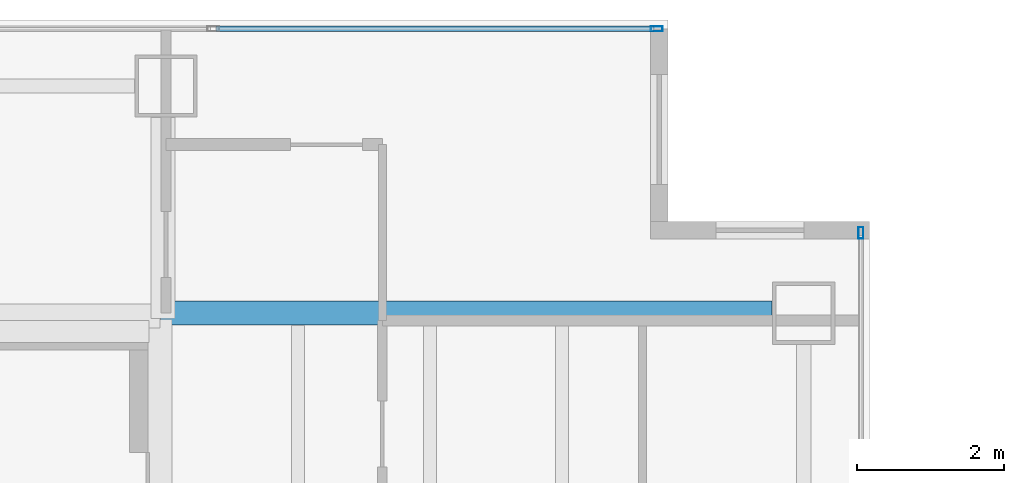
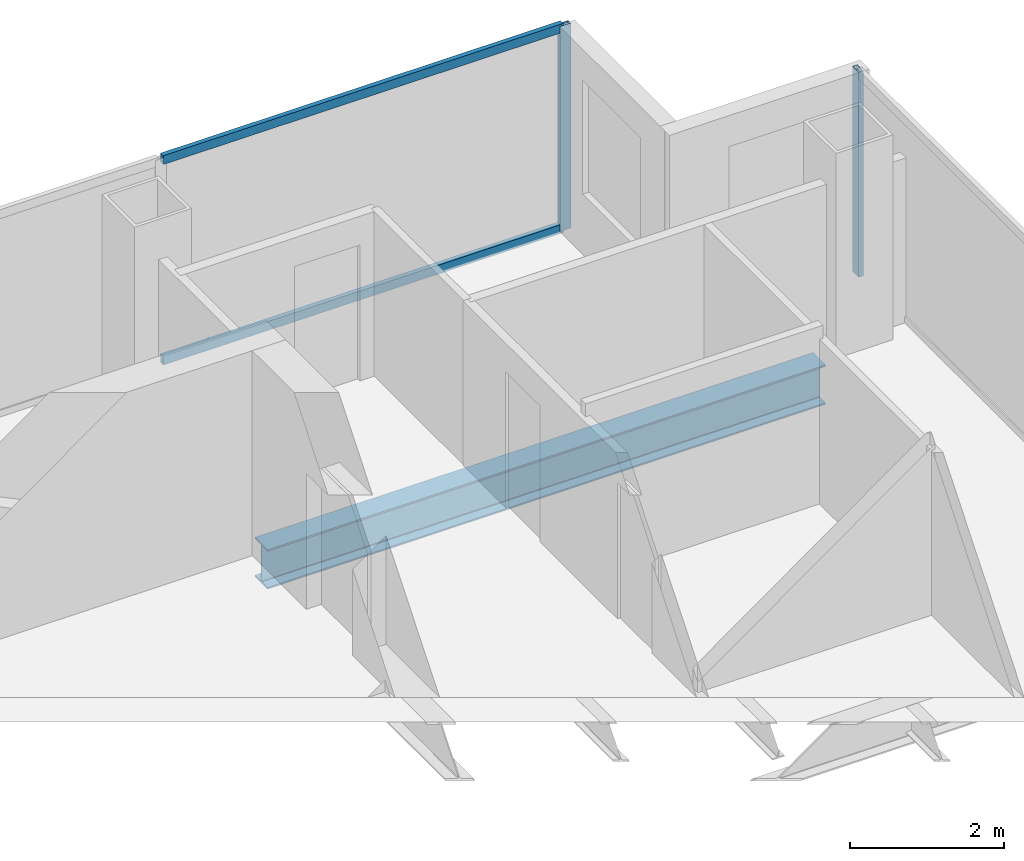
# One storey, part 18 of 23: 4 members, 1 beam, 2 elements without a shape of their own.
"""IFC4 building model written with IfcOpenShell, lengths in metres."""

from ifc_helpers import new_model, si_unit, direction, frame, origin, origin_2d, place, context, subcontext, project, spatial, hollow_rectangle, i_section, extrude, material, material_profile, profile_set, type_object, element, aggregate, save


model = new_model("IFC4")

# Units and contexts
model_context = context("Model", 3, precision=1e-05, world=origin(), true_north=direction((0.0, 1.0)))
body_context = subcontext(model_context, "Body", "Model", "MODEL_VIEW")
ifc_project = project(units=[si_unit("LENGTHUNIT", "METRE"), si_unit("AREAUNIT", "SQUARE_METRE"), si_unit("VOLUMEUNIT", "CUBIC_METRE"), si_unit("PLANEANGLEUNIT", "RADIAN"), si_unit("MASSUNIT", "GRAM", prefix="KILO")], contexts=[model_context])

# Site, building, storey
site_placement = place(None, origin())
site = spatial("IfcSite", under=ifc_project, at=site_placement, CompositionType="ELEMENT")
building_placement = place(site_placement, origin())
building = spatial("IfcBuilding", under=site, at=building_placement, Name="Cobrela Telecom Tower", CompositionType="ELEMENT")
storey_placement = place(building_placement, frame((0.0, 0.0, 176.75)))
storey = spatial("IfcBuildingStorey", under=building, at=storey_placement, Name="L44", CompositionType="ELEMENT", Elevation=176.75)

# Beam
ifc_material_1 = material(Name="Steel ASTM A992 Grade 50", Category="steel")
ifc_material_profile_1 = material_profile(ifc_material_1, i_section(OverallWidth=0.327880859375, OverallDepth=0.6220703125, WebThickness=0.015380859375, FlangeThickness=0.0244140625, FilletRadius=0.014892578125, at=origin_2d()), Name="W24X131")
ifc_profile_set_1 = profile_set([ifc_material_profile_1], Name="Steel ASTM A992 Grade 50")
beam_type = type_object("IfcBeamType", Name="BM-GIRD-06", PredefinedType="USERDEFINED", material=ifc_profile_set_1)
beam_placement = place(storey_placement, frame((14.324951171875, 36.0, -0.571044921875), z_axis=(1.0, 0.0, 0.0), x_axis=(0.0, 1.0, 0.0)))
element("IfcBeam", 1, at=beam_placement, inside=storey, type_object=beam_type, Name="L44 Primary Girder X22", ObjectType="GIRDER", PredefinedType="USERDEFINED", context=body_context, shape_type="SweptSolid", body=[
    extrude(i_section(OverallWidth=0.327880859375, OverallDepth=0.6220703125, WebThickness=0.015380859375, FlangeThickness=0.0244140625, FilletRadius=0.014892578125, at=origin_2d()), origin(), (0.0, 0.0, 1.0), 8.344970703125),
])

# Curtain wall, member
ifc_material_2 = material(Name="Anodized Bronze Aluminium 6063-T6", Category="aluminium")
curtain_wall_type = type_object("IfcCurtainWallType", Name="CW-SYS-OFF-LO", PredefinedType="USERDEFINED", material=ifc_material_2)
curtain_wall_1_placement = place(storey_placement, origin())
curtain_wall_1 = element("IfcCurtainWall", 2, at=curtain_wall_1_placement, inside=storey, type_object=curtain_wall_type, Name="L44 Unitised Bronze Curtain Wall 07", ObjectType="UNITISED CURTAIN WALL", PredefinedType="USERDEFINED")
ifc_material_profile_2 = material_profile(ifc_material_2, hollow_rectangle(XDim=0.070068359375, YDim=0.159912109375, WallThickness=0.00390625, at=origin_2d()), Name="ALU 70x160x4")
ifc_profile_set_2 = profile_set([ifc_material_profile_2], Name="Anodized Bronze Aluminium 6063-T6")
member_type_1 = type_object("IfcMemberType", Name="CW-SYS-OFF-LO-MUL", PredefinedType="MULLION", material=ifc_profile_set_2)
member_1_placement = place(storey_placement, frame((21.094970703125, 39.8798828125, 0.0), z_axis=(0.0, 0.0, 1.0), x_axis=(0.0, 1.0, 0.0)))
member_1 = element("IfcMember", 3, at=member_1_placement, type_object=member_type_1, Name="CW-OFF-LO mullion 4", PredefinedType="MULLION", context=body_context, shape_type="SweptSolid", body=[
    extrude(hollow_rectangle(XDim=0.070068359375, YDim=0.159912109375, WallThickness=0.00390625, at=origin_2d()), origin(), (0.0, 0.0, 1.0), 3.239990234375),
])

curtain_wall_2_placement = place(storey_placement, origin())
curtain_wall_2 = element("IfcCurtainWall", 4, at=curtain_wall_2_placement, inside=storey, type_object=curtain_wall_type, Name="L44 Unitised Bronze Curtain Wall 10", ObjectType="UNITISED CURTAIN WALL", PredefinedType="USERDEFINED")
member_2_placement = place(storey_placement, frame((23.8798828125, 37.094970703125, 0.0), z_axis=(0.0, 0.0, 1.0), x_axis=(1.0, 0.0, 0.0)))
member_2 = element("IfcMember", 5, at=member_2_placement, type_object=member_type_1, Name="CW-OFF-LO mullion 1", PredefinedType="MULLION", context=body_context, shape_type="SweptSolid", body=[
    extrude(hollow_rectangle(XDim=0.070068359375, YDim=0.159912109375, WallThickness=0.00390625, at=origin_2d()), origin(), (0.0, 0.0, 1.0), 3.239990234375),
])
aggregate(curtain_wall_2, [member_2])

# Member
ifc_material_profile_3 = material_profile(ifc_material_2, hollow_rectangle(XDim=0.070068359375, YDim=0.139892578125, WallThickness=0.00390625, at=origin_2d()), Name="ALU 70x140x4")
ifc_profile_set_3 = profile_set([ifc_material_profile_3], Name="Anodized Bronze Aluminium 6063-T6")
member_type_2 = type_object("IfcMemberType", Name="CW-SYS-OFF-LO-TRN", PredefinedType="USERDEFINED", material=ifc_profile_set_3)
member_3_placement = place(storey_placement, frame((15.078369140625, 39.8798828125, 0.034912109375), z_axis=(1.0, 0.0, 0.0), x_axis=(0.0, 1.0, 0.0)))
member_3 = element("IfcMember", 6, at=member_3_placement, type_object=member_type_2, Name="CW-OFF-LO transom 3.1", ObjectType="TRANSOM", PredefinedType="USERDEFINED", context=body_context, shape_type="SweptSolid", body=[
    extrude(hollow_rectangle(XDim=0.070068359375, YDim=0.139892578125, WallThickness=0.00390625, at=origin_2d()), origin(), (0.0, 0.0, 1.0), 5.981689453125),
])

member_4_placement = place(storey_placement, frame((15.078369140625, 39.8798828125, 3.205078125), z_axis=(1.0, 0.0, 0.0), x_axis=(0.0, 1.0, 0.0)))
member_4 = element("IfcMember", 7, at=member_4_placement, type_object=member_type_2, Name="CW-OFF-LO transom 3.2", ObjectType="TRANSOM", PredefinedType="USERDEFINED", context=body_context, shape_type="SweptSolid", body=[
    extrude(hollow_rectangle(XDim=0.070068359375, YDim=0.139892578125, WallThickness=0.00390625, at=origin_2d()), origin(), (0.0, 0.0, 1.0), 5.981689453125),
])

aggregate(curtain_wall_1, [member_1, member_3, member_4])

save(model, "model.ifc")
